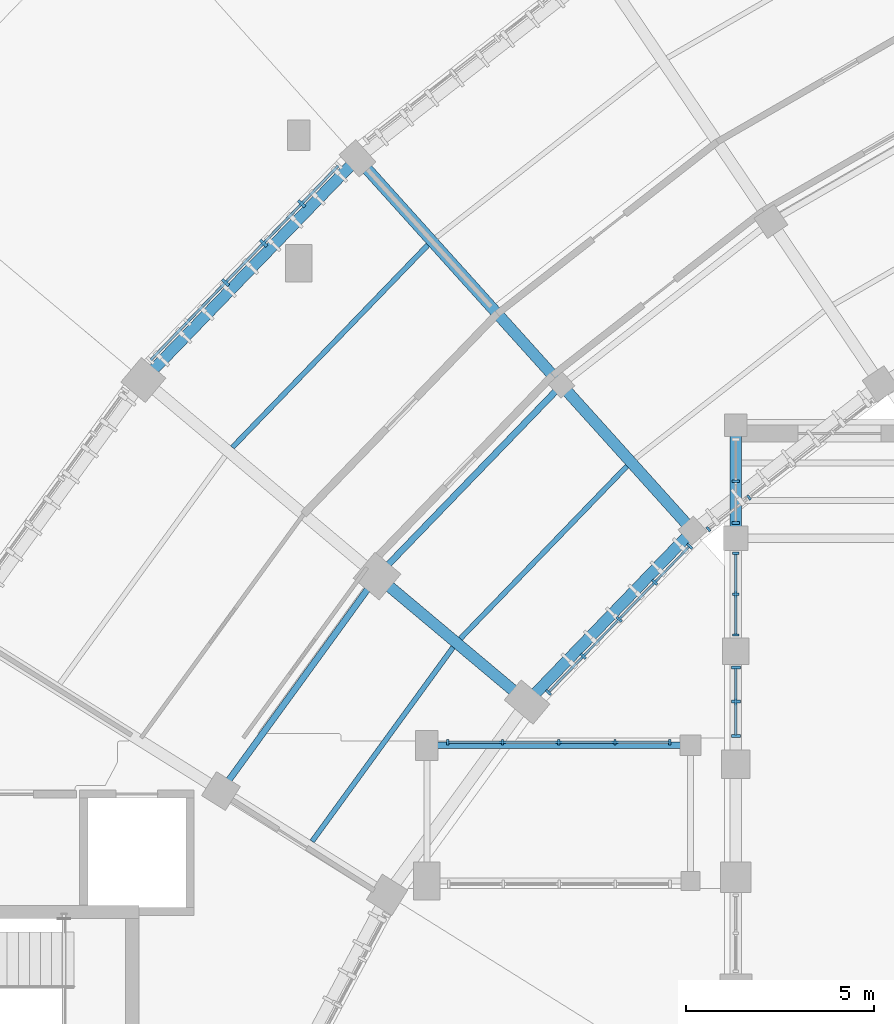
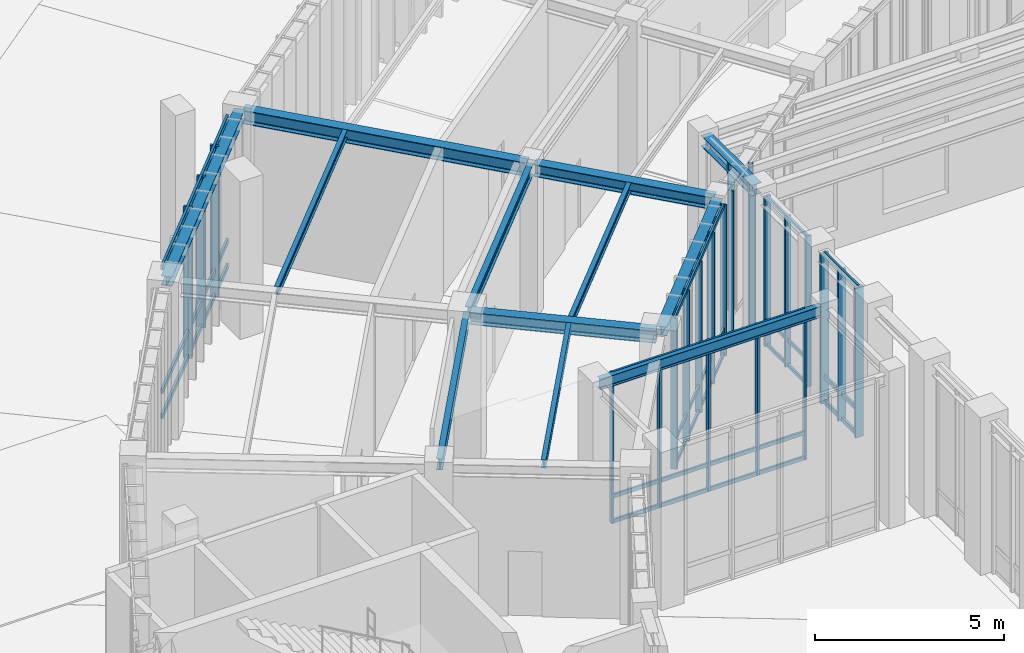
# One storey, part 9 of 68: 38 members, 12 beams, 7 elements without a shape of their own.
"""IFC4 building model written with IfcOpenShell, lengths in metres."""

import ifcopenshell
import ifcopenshell.guid

model = None  # the IFC model being written
_history = None  # IfcOwnerHistory: only IFC2X3 demands one
_inside = {}  # id of a spatial element -> (the spatial element, [elements in it])
_under = {}  # id of a project, library or spatial element -> (it, [spatial elements below it])
_declared = {}  # id of a project -> (the project, [libraries it declares])
_typed = {}  # id of a type object -> (the type object, [elements of that type])
_made_of = {}  # id of a material, layer set ... -> (it, [elements and type objects made of it])


def new_model(schema):
    """Start an empty IFC model of exactly this schema.

    Asked for "IFC4X3", IfcOpenShell would pick the latest addendum, in which some entities
    have other attributes; the version numbers below select the first issue.
    IFC2X3 requires an IfcOwnerHistory on every rooted entity: one is made here for all.
    """
    global model, _history
    if schema == "IFC4X3":
        model = ifcopenshell.file(schema_version=(4, 3, 0, 0))
    else:
        model = ifcopenshell.file(schema=schema)
    _inside.clear()
    _under.clear()
    _declared.clear()
    _typed.clear()
    _made_of.clear()
    _history = None
    if model.schema == "IFC2X3":
        org = make("IfcOrganization", Name="unknown")
        user = make(
            "IfcPersonAndOrganization",
            ThePerson=make("IfcPerson", FamilyName="unknown"),
            TheOrganization=org,
        )
        app = make(
            "IfcApplication",
            ApplicationDeveloper=org,
            Version="unknown",
            ApplicationFullName="unknown",
            ApplicationIdentifier="unknown",
        )
        _history = make(
            "IfcOwnerHistory",
            OwningUser=user,
            OwningApplication=app,
            ChangeAction="ADDED",
            CreationDate=0,
        )
    return model


def make(cls, **values):
    """One entity of the class cls with the attributes given. An attribute that is None is left unset."""
    return model.create_entity(
        cls, **{name: value for name, value in values.items() if value is not None}
    )


def rooted(cls, **values):
    """An entity with a GlobalId (a new one), such as an element, a storey or a relation."""
    return make(cls, GlobalId=ifcopenshell.guid.new(), OwnerHistory=_history, **values)


def si_unit(unit_type, name, prefix=None):
    """IfcSIUnit, for example si_unit("LENGTHUNIT", "METRE", prefix="MILLI")."""
    return make("IfcSIUnit", UnitType=unit_type, Prefix=prefix, Name=name)


def assignment(units):
    """IfcUnitAssignment: the units of a project."""
    return None if units is None else make("IfcUnitAssignment", Units=units)


def point(xyz):
    """IfcCartesianPoint."""
    return None if xyz is None else make("IfcCartesianPoint", Coordinates=xyz)


def direction(xyz):
    """IfcDirection."""
    return None if xyz is None else make("IfcDirection", DirectionRatios=xyz)


def frame(location, z_axis=None, x_axis=None):
    """IfcAxis2Placement3D, a coordinate frame: its origin and axes. An axis left out is left unset."""
    return make(
        "IfcAxis2Placement3D",
        Location=point(location),
        Axis=direction(z_axis),
        RefDirection=direction(x_axis),
    )


def frame_2d(location, x_axis=None):
    """IfcAxis2Placement2D, a coordinate frame in the plane: its origin and x axis."""
    return make(
        "IfcAxis2Placement2D", Location=point(location), RefDirection=direction(x_axis)
    )


def origin():
    """The frame at (0, 0, 0) with its axes left unset."""
    return frame((0.0, 0.0, 0.0))


def origin_2d():
    """The frame at (0, 0) in the plane with its x axis left unset."""
    return frame_2d((0.0, 0.0))


def place(relative_to, where):
    """IfcLocalPlacement: puts the frame where relative to a parent placement (None: the world)."""
    return make(
        "IfcLocalPlacement", PlacementRelTo=relative_to, RelativePlacement=where
    )


def context(
    kind, dimensions, precision=None, world=None, true_north=None, identifier=None
):
    """IfcGeometricRepresentationContext, for example the 3D "Model" context."""
    return make(
        "IfcGeometricRepresentationContext",
        ContextIdentifier=identifier,
        ContextType=kind,
        CoordinateSpaceDimension=dimensions,
        Precision=precision,
        WorldCoordinateSystem=world,
        TrueNorth=true_north,
    )


def subcontext(parent, identifier, kind, view, scale=None):
    """IfcGeometricRepresentationSubContext, for example "Body" below "Model"."""
    return make(
        "IfcGeometricRepresentationSubContext",
        ContextIdentifier=identifier,
        ContextType=kind,
        ParentContext=parent,
        TargetScale=scale,
        TargetView=view,
    )


def project(units=None, contexts=None):
    """IfcProject with its units and contexts."""
    return rooted(
        "IfcProject",
        Name="project",
        RepresentationContexts=contexts,
        UnitsInContext=assignment(units),
    )


def spatial(cls, under=None, at=None, **own):
    """A site, building, storey or space (cls), placed at a placement, below another one or the project."""
    s = rooted(cls, ObjectPlacement=at, **own)
    if under is not None:
        _under.setdefault(under.id(), (under, []))[1].append(s)
    return s


def profile(cls, at=None, kind="AREA", **sizes):
    """A parametric profile (cls). Its sizes go by their IFC names, for example OverallWidth=200.0."""
    return make(cls, ProfileType=kind, Position=at, **sizes)


def rectangle(**sizes):
    """IfcRectangleProfileDef."""
    return profile("IfcRectangleProfileDef", **sizes)


def i_section(**sizes):
    """IfcIShapeProfileDef."""
    return profile("IfcIShapeProfileDef", **sizes)


def extrude(swept, where, along, depth):
    """IfcExtrudedAreaSolid: the profile swept, set in the frame where, extruded along a direction by depth."""
    return make(
        "IfcExtrudedAreaSolid",
        SweptArea=swept,
        Position=where,
        ExtrudedDirection=direction(along),
        Depth=depth,
    )


def shape(context_of_items, identifier, shape_type, items):
    """IfcShapeRepresentation: the items that make up one representation, for example the "Body"."""
    return make(
        "IfcShapeRepresentation",
        ContextOfItems=context_of_items,
        RepresentationIdentifier=identifier,
        RepresentationType=shape_type,
        Items=items,
    )


def material(Name=None, Category=None):
    """IfcMaterial."""
    return make("IfcMaterial", Name=Name, Category=Category)


def layer(
    of_material, thickness, ventilated=None, Name=None, Category=None, Priority=None
):
    """IfcMaterialLayer: one layer of a wall or slab, of a material (None: an air gap)."""
    return make(
        "IfcMaterialLayer",
        Material=of_material,
        LayerThickness=thickness,
        IsVentilated=ventilated,
        Name=Name,
        Category=Category,
        Priority=Priority,
    )


def layer_set(layers, Name=None):
    """IfcMaterialLayerSet."""
    return make("IfcMaterialLayerSet", MaterialLayers=layers, LayerSetName=Name)


def material_profile(
    of_material, cross_section, Name=None, Category=None, Priority=None
):
    """IfcMaterialProfile: a cross section and its material."""
    return make(
        "IfcMaterialProfile",
        Name=Name,
        Material=of_material,
        Profile=cross_section,
        Priority=Priority,
        Category=Category,
    )


def profile_set(profiles, Name=None, composite=None):
    """IfcMaterialProfileSet."""
    return make(
        "IfcMaterialProfileSet",
        Name=Name,
        MaterialProfiles=profiles,
        CompositeProfile=composite,
    )


def made_of(thing, what):
    """Note that an element or type object is made of a material, layer set ...; save() writes the relation."""
    if what is not None:
        _made_of.setdefault(what.id(), (what, []))[1].append(thing)
    return thing


def type_object(cls, material=None, **own):
    """A type object (cls), such as IfcWallType, which elements share."""
    return made_of(rooted(cls, **own), material)


def element(
    cls,
    number,
    at=None,
    inside=None,
    cuts=None,
    type_object=None,
    material=None,
    context=None,
    identifier="Body",
    shape_type=None,
    held_by="IfcProductDefinitionShape",
    body=None,
    shapes=None,
    **own,
):
    """One element of the class cls, such as IfcWall. Its Tag is "e" and its number.

    at: its placement. inside: the storey or other place that contains it. cuts: it is an
    opening in that element (IfcRelVoidsElement). A single representation is given by context,
    identifier, shape_type and body (its items); several are given by shapes. held_by: the class
    of the entity that holds the representations. save() writes the other relations.
    """
    e = rooted(cls, Tag="e%d" % number, ObjectPlacement=at, **own)
    if body is not None:
        shapes = [shape(context, identifier, shape_type, body)]
    if shapes is not None:
        e.Representation = make(held_by, Representations=shapes)
    if inside is not None:
        _inside.setdefault(inside.id(), (inside, []))[1].append(e)
    if cuts is not None:
        rooted(
            "IfcRelVoidsElement", RelatingBuildingElement=cuts, RelatedOpeningElement=e
        )
    if type_object is not None:
        _typed.setdefault(type_object.id(), (type_object, []))[1].append(e)
    return made_of(e, material)


def aggregate(whole, parts):
    """IfcRelAggregates: a whole, such as a stair, and the parts it consists of."""
    return rooted("IfcRelAggregates", RelatingObject=whole, RelatedObjects=parts)


def save(model, path):
    """Write the relations noted so far, then the file.

    IfcRelAggregates (storeys below a building ...), IfcRelContainedInSpatialStructure (elements
    in a storey), IfcRelDefinesByType, IfcRelAssociatesMaterial and IfcRelDeclares: one each for
    every whole, place, type object, material and project.
    """
    for whole, parts in _under.values():
        aggregate(whole, parts)
    for where, things in _inside.values():
        rooted(
            "IfcRelContainedInSpatialStructure",
            RelatedElements=things,
            RelatingStructure=where,
        )
    for kind, things in _typed.values():
        rooted("IfcRelDefinesByType", RelatedObjects=things, RelatingType=kind)
    for what, things in _made_of.values():
        rooted("IfcRelAssociatesMaterial", RelatedObjects=things, RelatingMaterial=what)
    for by, libraries in _declared.values():
        rooted("IfcRelDeclares", RelatingContext=by, RelatedDefinitions=libraries)
    model.write(path)


model = new_model("IFC4")

# Units and contexts
model_context = context("Model", 3, precision=1e-05, world=origin(), true_north=direction((0.0, 1.0)))
body_context = subcontext(model_context, "Body", "Model", "MODEL_VIEW")
ifc_project = project(units=[si_unit("LENGTHUNIT", "METRE"), si_unit("AREAUNIT", "SQUARE_METRE"), si_unit("VOLUMEUNIT", "CUBIC_METRE"), si_unit("PLANEANGLEUNIT", "RADIAN"), si_unit("MASSUNIT", "GRAM", prefix="KILO"), si_unit("THERMODYNAMICTEMPERATUREUNIT", "KELVIN"), si_unit("POWERUNIT", "WATT")], contexts=[model_context])

# Site, building, storey
site_placement = place(None, origin())
site = spatial("IfcSite", under=ifc_project, at=site_placement, CompositionType="ELEMENT")
building_placement = place(site_placement, origin())
building = spatial("IfcBuilding", under=site, at=building_placement, Name="Solvatero Civic Police Headquarters", CompositionType="ELEMENT")
storey_placement = place(building_placement, origin())
storey = spatial("IfcBuildingStorey", under=building, at=storey_placement, Name="L00", CompositionType="ELEMENT", Elevation=0.0)

# Beams
ifc_material_1 = material(Name="Steel S355", Category="steel")
ifc_material_profile_1 = material_profile(ifc_material_1, i_section(OverallWidth=0.300048828125, OverallDepth=0.2900390625, WebThickness=0.008544921875, FlangeThickness=0.013916015625, FilletRadius=0.027099609375, at=origin_2d()), Name="HEA 300")
ifc_profile_set_1 = profile_set([ifc_material_profile_1], Name="Steel S355")
beam_type_1 = type_object("IfcBeamType", Name="BM-ST-HEA300", PredefinedType="SPANDREL", material=ifc_profile_set_1)
beam_1_placement = place(storey_placement, frame((63.58544921875, 59.629638671875, 4.735107421875), z_axis=(-0.694666334327, -0.719332109635, 0.0), x_axis=(0.719332109635, -0.694666334327, 0.0)))
element("IfcBeam", 1, at=beam_1_placement, inside=storey, type_object=beam_type_1, Name="Perimeter / radial spandrel beam BM-R2-L00-ARC-CIN-B07", PredefinedType="SPANDREL", context=body_context, shape_type="SweptSolid", body=[
    extrude(i_section(OverallWidth=0.300048828125, OverallDepth=0.2900390625, WebThickness=0.008544921875, FlangeThickness=0.013916015625, FilletRadius=0.027099609375, at=origin_2d()), origin(), (0.0, 0.0, 1.0), 6.126953125),
])
ifc_material_profile_2 = material_profile(ifc_material_1, i_section(OverallWidth=0.300048828125, OverallDepth=0.31005859375, WebThickness=0.009033203125, FlangeThickness=0.015380859375, FilletRadius=0.027099609375, at=origin_2d()), Name="HEA 320")
ifc_profile_set_2 = profile_set([ifc_material_profile_2], Name="Steel S355")
beam_type_2 = type_object("IfcBeamType", Name="BM-ST-HEA320", PredefinedType="SPANDREL", material=ifc_profile_set_2)
beam_2_placement = place(storey_placement, frame((54.68603515625, 69.513427734375, 4.72509765625), z_axis=(-0.694657827695, -0.719340324479, 0.0), x_axis=(0.719340324479, -0.694657827695, 0.0)))
element("IfcBeam", 2, at=beam_2_placement, inside=storey, type_object=beam_type_2, Name="Perimeter / radial spandrel beam BM-R2-L00-ARC-COUT-B07", PredefinedType="SPANDREL", context=body_context, shape_type="SweptSolid", body=[
    extrude(i_section(OverallWidth=0.300048828125, OverallDepth=0.31005859375, WebThickness=0.009033203125, FlangeThickness=0.015380859375, FilletRadius=0.027099609375, at=origin_2d()), origin(), (0.0, 0.0, 1.0), 7.982177734375),
])
ifc_material_profile_3 = material_profile(ifc_material_1, i_section(OverallWidth=0.300048828125, OverallDepth=0.35009765625, WebThickness=0.010009765625, FlangeThickness=0.017578125, FilletRadius=0.027099609375, at=origin_2d()), Name="HEA 360")
ifc_profile_set_3 = profile_set([ifc_material_profile_3], Name="Steel S355")
beam_type_3 = type_object("IfcBeamType", Name="BM-ST-HEA360", PredefinedType="SPANDREL", material=ifc_profile_set_3)
beam_3_placement = place(storey_placement, frame((64.800048828125, 59.659912109375, 4.705078125), z_axis=(0.0, 1.0, 0.0), x_axis=(-1.0, 0.0, 0.0)))
element("IfcBeam", 3, at=beam_3_placement, inside=storey, type_object=beam_type_3, Name="Perimeter / radial spandrel beam BM-R2-L00-V2-GY-1-3", PredefinedType="SPANDREL", context=body_context, shape_type="SweptSolid", body=[
    extrude(i_section(OverallWidth=0.300048828125, OverallDepth=0.35009765625, WebThickness=0.010009765625, FlangeThickness=0.017578125, FilletRadius=0.027099609375, at=origin_2d()), origin(), (0.0, 0.0, 1.0), 2.68017578125),
])
ifc_material_profile_4 = material_profile(ifc_material_1, i_section(OverallWidth=0.300048828125, OverallDepth=0.389892578125, WebThickness=0.010986328125, FlangeThickness=0.01904296875, FilletRadius=0.027099609375, at=origin_2d()), Name="HEA 400")
ifc_profile_set_4 = profile_set([ifc_material_profile_4], Name="Steel S355")
beam_type_4 = type_object("IfcBeamType", Name="BM-ST-HEA400", PredefinedType="BEAM", material=ifc_profile_set_4)
beam_4_placement = place(storey_placement, frame((63.587890625, 59.77587890625, 4.68505859375), z_axis=(-0.669126573551, 0.743148456614, 0.0), x_axis=(-0.743148456614, -0.669126573551, 0.0)))
element("IfcBeam", 4, at=beam_4_placement, inside=storey, type_object=beam_type_4, Name="Primary girder BM-R2-L00-ARC-RAD1-S06", PredefinedType="BEAM", context=body_context, shape_type="SweptSolid", body=[
    extrude(i_section(OverallWidth=0.300048828125, OverallDepth=0.389892578125, WebThickness=0.010986328125, FlangeThickness=0.01904296875, FilletRadius=0.027099609375, at=origin_2d()), origin(), (0.0, 0.0, 1.0), 5.0),
])
beam_5_placement = place(storey_placement, frame((59.183349609375, 55.214599609375, 4.68505859375), z_axis=(-0.766035646312, 0.642798093167, 0.0), x_axis=(-0.642798093167, -0.766035646312, 0.0)))
element("IfcBeam", 5, at=beam_5_placement, inside=storey, type_object=beam_type_4, Name="Primary girder BM-R2-L00-ARC-RAD1-S07", PredefinedType="BEAM", context=body_context, shape_type="SweptSolid", body=[
    extrude(i_section(OverallWidth=0.300048828125, OverallDepth=0.389892578125, WebThickness=0.010986328125, FlangeThickness=0.01904296875, FilletRadius=0.027099609375, at=origin_2d()), origin(), (0.0, 0.0, 1.0), 5.000244140625),
])
ifc_material_profile_5 = material_profile(ifc_material_1, i_section(OverallWidth=0.300048828125, OverallDepth=0.43994140625, WebThickness=0.011474609375, FlangeThickness=0.02099609375, FilletRadius=0.027099609375, at=origin_2d()), Name="HEA 450")
ifc_profile_set_5 = profile_set([ifc_material_profile_5], Name="Steel S355")
beam_type_5 = type_object("IfcBeamType", Name="BM-ST-HEA450", PredefinedType="BEAM", material=ifc_profile_set_5)
beam_6_placement = place(storey_placement, frame((60.1083984375, 63.640380859375, 4.659912109375), z_axis=(-0.669128632475, 0.743146602766, 0.0), x_axis=(-0.743146602766, -0.669128632475, 0.0)))
element("IfcBeam", 6, at=beam_6_placement, inside=storey, type_object=beam_type_5, Name="Primary girder BM-R2-L00-ARC-RAD2-S06", PredefinedType="BEAM", context=body_context, shape_type="SweptSolid", body=[
    extrude(i_section(OverallWidth=0.300048828125, OverallDepth=0.43994140625, WebThickness=0.011474609375, FlangeThickness=0.02099609375, FilletRadius=0.027099609375, at=origin_2d()), origin(), (0.0, 0.0, 1.0), 7.899658203125),
])
ifc_material_profile_6 = material_profile(ifc_material_1, i_section(OverallWidth=0.135009765625, OverallDepth=0.27001953125, WebThickness=0.006591796875, FlangeThickness=0.01025390625, FilletRadius=0.014892578125, at=origin_2d()), Name="IPE 270")
ifc_profile_set_6 = profile_set([ifc_material_profile_6], Name="Steel S355")
beam_type_6 = type_object("IfcBeamType", Name="BM-ST-IPE270", PredefinedType="BEAM", material=ifc_profile_set_6)
beam_7_placement = place(storey_placement, frame((61.911376953125, 61.414306640625, 4.7451171875), z_axis=(-0.694655397836, -0.719342670956, 0.0), x_axis=(0.719342670956, -0.694655397836, 0.0)))
element("IfcBeam", 7, at=beam_7_placement, inside=storey, type_object=beam_type_6, Name="Composite floor beam BM-R2-L00-ARC-CS1-B07", PredefinedType="BEAM", context=body_context, shape_type="SweptSolid", body=[
    extrude(i_section(OverallWidth=0.135009765625, OverallDepth=0.27001953125, WebThickness=0.006591796875, FlangeThickness=0.01025390625, FilletRadius=0.014892578125, at=origin_2d()), origin(), (0.0, 0.0, 1.0), 6.36865234375),
])
beam_8_placement = place(storey_placement, frame((56.625244140625, 67.285400390625, 4.7451171875), z_axis=(-0.69464641537, -0.719351345042, 0.0), x_axis=(0.719351345042, -0.69464641537, 0.0)))
element("IfcBeam", 8, at=beam_8_placement, inside=storey, type_object=beam_type_6, Name="Composite floor beam BM-R2-L00-ARC-CS2-B07", PredefinedType="BEAM", context=body_context, shape_type="SweptSolid", body=[
    extrude(i_section(OverallWidth=0.135009765625, OverallDepth=0.27001953125, WebThickness=0.006591796875, FlangeThickness=0.01025390625, FilletRadius=0.014892578125, at=origin_2d()), origin(), (0.0, 0.0, 1.0), 7.470947265625),
])
beam_9_placement = place(storey_placement, frame((57.294921875, 56.603759765625, 4.7451171875), z_axis=(-0.587786418719, -0.809016146915, 0.0), x_axis=(0.809016146915, -0.587786418719, 0.0)))
element("IfcBeam", 9, at=beam_9_placement, inside=storey, type_object=beam_type_6, Name="Composite floor beam BM-R2-L00-ARC-CS1-B08", PredefinedType="BEAM", context=body_context, shape_type="SweptSolid", body=[
    extrude(i_section(OverallWidth=0.135009765625, OverallDepth=0.27001953125, WebThickness=0.006591796875, FlangeThickness=0.01025390625, FilletRadius=0.014892578125, at=origin_2d()), origin(), (0.0, 0.0, 1.0), 6.36865234375),
])
ifc_material_profile_7 = material_profile(ifc_material_1, i_section(OverallWidth=0.169921875, OverallDepth=0.360107421875, WebThickness=0.008056640625, FlangeThickness=0.0126953125, FilletRadius=0.01806640625, at=origin_2d()), Name="IPE 360")
ifc_profile_set_7 = profile_set([ifc_material_profile_7], Name="Steel S355")
beam_type_7 = type_object("IfcBeamType", Name="BM-ST-IPE360", PredefinedType="BEAM", material=ifc_profile_set_7)
beam_10_placement = place(storey_placement, frame((56.719970703125, 54.0, 4.699951171875), z_axis=(1.0, 0.0, 0.0), x_axis=(0.0, 1.0, 0.0)))
element("IfcBeam", 10, at=beam_10_placement, inside=storey, type_object=beam_type_7, Name="Composite floor beam BM-R2-L00-V2LK-N", PredefinedType="BEAM", context=body_context, shape_type="SweptSolid", body=[
    extrude(i_section(OverallWidth=0.169921875, OverallDepth=0.360107421875, WebThickness=0.008056640625, FlangeThickness=0.0126953125, FilletRadius=0.01806640625, at=origin_2d()), origin(), (0.0, 0.0, 1.0), 6.760009765625),
])
for number, where, z_axis, x_axis, name in (
    (11, (60.10595703125, 63.494140625, 4.699951171875), (-0.694635840839, -0.719361556258, 0.0), (0.719361556258, -0.694635840839, 0.0), "Composite floor beam BM-R2-L00-ARC-CMID-B07"),
    (12, (55.2177734375, 58.412109375, 4.699951171875), (-0.587794552249, -0.809010237479, 0.0), (0.809010237479, -0.587794552249, 0.0), "Composite floor beam BM-R2-L00-ARC-CMID-B08"),
):
    element("IfcBeam", number, at=place(storey_placement, frame(where, z_axis=z_axis, x_axis=x_axis)), inside=storey, type_object=beam_type_7, Name=name, PredefinedType="BEAM", context=body_context, shape_type="SweptSolid", body=[
        extrude(i_section(OverallWidth=0.169921875, OverallDepth=0.360107421875, WebThickness=0.008056640625, FlangeThickness=0.0126953125, FilletRadius=0.01806640625, at=origin_2d()), origin(), (0.0, 0.0, 1.0), 6.8525390625),
    ])

# Curtain wall, members
ifc_material_2 = material(Name="Anodized Bronze Aluminium", Category="aluminium")
ifc_layer_1 = layer(ifc_material_2, 0.179931640625)
ifc_layer_set_1 = layer_set([ifc_layer_1], Name="Anodized Bronze Aluminium")
curtain_wall_type_1 = type_object("IfcCurtainWallType", Name="CW-ARC-OUT", PredefinedType="USERDEFINED", material=ifc_layer_set_1)
curtain_wall_1_placement = place(storey_placement, origin())
curtain_wall_1 = element("IfcCurtainWall", 13, at=curtain_wall_1_placement, inside=storey, type_object=curtain_wall_type_1, Name="Curtain Wall CW-R2-L00-ARC-OUT-B07", ObjectType="UNITISED", PredefinedType="USERDEFINED")
ifc_material_profile_8 = material_profile(ifc_material_2, rectangle(XDim=0.080078125, YDim=0.239990234375, at=origin_2d()), Name="ALU MULLION 80x240")
ifc_profile_set_8 = profile_set([ifc_material_profile_8], Name="Anodized Bronze Aluminium")
member_type_1 = type_object("IfcMemberType", Name="CWM-140x60", PredefinedType="MULLION", material=ifc_profile_set_8)
member_1_placement = place(storey_placement, frame((53.273681640625, 68.38134765625, 0.0), z_axis=(0.0, 0.0, 1.0), x_axis=(-0.694658370459, -0.719339800339, 0.0)))
member_1 = element("IfcMember", 14, at=member_1_placement, type_object=member_type_1, Name="CW-R2-L00-ARC-OUT-B07 Mullion 2", PredefinedType="MULLION", context=body_context, shape_type="SweptSolid", body=[
    extrude(rectangle(XDim=0.080078125, YDim=0.239990234375, at=origin_2d()), origin(), (0.0, 0.0, 1.0), 4.8798828125),
])
member_2_placement = place(storey_placement, frame((52.2626953125, 67.334228515625, 0.0), z_axis=(0.0, 0.0, 1.0), x_axis=(-0.694658370459, -0.719339800339, 0.0)))
member_2 = element("IfcMember", 15, at=member_2_placement, type_object=member_type_1, Name="CW-R2-L00-ARC-OUT-B07 Mullion 3", PredefinedType="MULLION", context=body_context, shape_type="SweptSolid", body=[
    extrude(rectangle(XDim=0.080078125, YDim=0.239990234375, at=origin_2d()), origin(), (0.0, 0.0, 1.0), 4.8798828125),
])
member_3_placement = place(storey_placement, frame((51.251708984375, 66.287353515625, 0.0), z_axis=(0.0, 0.0, 1.0), x_axis=(-0.694658370459, -0.719339800339, 0.0)))
member_3 = element("IfcMember", 16, at=member_3_placement, type_object=member_type_1, Name="CW-R2-L00-ARC-OUT-B07 Mullion 4", PredefinedType="MULLION", context=body_context, shape_type="SweptSolid", body=[
    extrude(rectangle(XDim=0.080078125, YDim=0.239990234375, at=origin_2d()), origin(), (0.0, 0.0, 1.0), 4.8798828125),
])

ifc_layer_2 = layer(ifc_material_2, 0.179931640625)
ifc_layer_set_2 = layer_set([ifc_layer_2], Name="Anodized Bronze Aluminium")
curtain_wall_type_2 = type_object("IfcCurtainWallType", Name="CW-HAL-GLZ", PredefinedType="USERDEFINED", material=ifc_layer_set_2)
curtain_wall_2_placement = place(storey_placement, origin())
curtain_wall_2 = element("IfcCurtainWall", 17, at=curtain_wall_2_placement, inside=storey, type_object=curtain_wall_type_2, Name="Curtain Wall CW-R2-L00-V2-W-B5", ObjectType="UNITISED", PredefinedType="USERDEFINED")
member_4_placement = place(storey_placement, frame((64.800048828125, 54.25, 0.0), z_axis=(0.0, 0.0, 1.0), x_axis=(0.0, 1.0, 0.0)))
member_4 = element("IfcMember", 18, at=member_4_placement, type_object=member_type_1, Name="CW-R2-L00-V2-W-B5 Mullion 1", PredefinedType="MULLION", context=body_context, shape_type="SweptSolid", body=[
    extrude(rectangle(XDim=0.080078125, YDim=0.239990234375, at=origin_2d()), origin(), (0.0, 0.0, 1.0), 4.860107421875),
])
member_5_placement = place(storey_placement, frame((64.800048828125, 55.159912109375, 0.0), z_axis=(0.0, 0.0, 1.0), x_axis=(0.0, 1.0, 0.0)))
member_5 = element("IfcMember", 19, at=member_5_placement, type_object=member_type_1, Name="CW-R2-L00-V2-W-B5 Mullion 2", PredefinedType="MULLION", context=body_context, shape_type="SweptSolid", body=[
    extrude(rectangle(XDim=0.080078125, YDim=0.239990234375, at=origin_2d()), origin(), (0.0, 0.0, 1.0), 4.860107421875),
])
member_6_placement = place(storey_placement, frame((64.800048828125, 56.070068359375, 0.0), z_axis=(0.0, 0.0, 1.0), x_axis=(0.0, 1.0, 0.0)))
member_6 = element("IfcMember", 20, at=member_6_placement, type_object=member_type_1, Name="CW-R2-L00-V2-W-B5 Mullion 3", PredefinedType="MULLION", context=body_context, shape_type="SweptSolid", body=[
    extrude(rectangle(XDim=0.080078125, YDim=0.239990234375, at=origin_2d()), origin(), (0.0, 0.0, 1.0), 4.860107421875),
])

ifc_layer_3 = layer(ifc_material_2, 0.179931640625)
ifc_layer_set_3 = layer_set([ifc_layer_3], Name="Anodized Bronze Aluminium")
curtain_wall_type_3 = type_object("IfcCurtainWallType", Name="CW-ARC-IN", PredefinedType="USERDEFINED", material=ifc_layer_set_3)
curtain_wall_3_placement = place(storey_placement, origin())
curtain_wall_3 = element("IfcCurtainWall", 21, at=curtain_wall_3_placement, inside=storey, type_object=curtain_wall_type_3, Name="Curtain Wall CW-R2-L00-ARC-IN-B06", ObjectType="UNITISED", PredefinedType="USERDEFINED")
ifc_material_profile_9 = material_profile(ifc_material_2, rectangle(XDim=0.06005859375, YDim=0.139892578125, at=origin_2d()), Name="ALU MULLION 60x140")
ifc_profile_set_9 = profile_set([ifc_material_profile_9], Name="Anodized Bronze Aluminium")
member_type_2 = type_object("IfcMemberType", Name="CWM-160x65", PredefinedType="MULLION", material=ifc_profile_set_9)
member_7_placement = place(storey_placement, frame((65.15185546875, 60.580078125, 0.0), z_axis=(0.0, 0.0, 1.0), x_axis=(-0.788010753607, -0.615661475326, 0.0)))
member_7 = element("IfcMember", 22, at=member_7_placement, type_object=member_type_2, Name="CW-R2-L00-ARC-IN-B06 Mullion 4", PredefinedType="MULLION", context=body_context, shape_type="SweptSolid", body=[
    extrude(rectangle(XDim=0.06005859375, YDim=0.139892578125, at=origin_2d()), origin(), (0.0, 0.0, 1.0), 4.8798828125),
])
member_8_placement = place(storey_placement, frame((64.07568359375, 59.7392578125, 0.0), z_axis=(0.0, 0.0, 1.0), x_axis=(-0.788010753607, -0.615661475326, 0.0)))
member_8 = element("IfcMember", 23, at=member_8_placement, type_object=member_type_2, Name="CW-R2-L00-ARC-IN-B06 Mullion 5", PredefinedType="MULLION", context=body_context, shape_type="SweptSolid", body=[
    extrude(rectangle(XDim=0.06005859375, YDim=0.139892578125, at=origin_2d()), origin(), (0.0, 0.0, 1.0), 4.8798828125),
])
aggregate(curtain_wall_3, [member_7, member_8])

ifc_layer_4 = layer(ifc_material_2, 0.179931640625)
ifc_layer_set_4 = layer_set([ifc_layer_4], Name="Anodized Bronze Aluminium")
curtain_wall_type_4 = type_object("IfcCurtainWallType", Name="CW-SB-GLZ", PredefinedType="USERDEFINED", material=ifc_layer_set_4)
curtain_wall_4_placement = place(storey_placement, origin())
curtain_wall_4 = element("IfcCurtainWall", 24, at=curtain_wall_4_placement, inside=storey, type_object=curtain_wall_type_4, Name="Curtain Wall CW-R2-L00-V2LK-N", ObjectType="UNITISED", PredefinedType="USERDEFINED")
member_9_placement = place(storey_placement, frame((57.14990234375, 54.080078125, 0.0), z_axis=(0.0, 0.0, 1.0), x_axis=(1.0, 0.0, 0.0)))
member_9 = element("IfcMember", 25, at=member_9_placement, type_object=member_type_2, Name="CW-R2-L00-V2LK-N Mullion 1", PredefinedType="MULLION", context=body_context, shape_type="SweptSolid", body=[
    extrude(rectangle(XDim=0.06005859375, YDim=0.139892578125, at=origin_2d()), origin(), (0.0, 0.0, 1.0), 4.860107421875),
])
member_10_placement = place(storey_placement, frame((58.60498046875, 54.080078125, 0.0), z_axis=(0.0, 0.0, 1.0), x_axis=(1.0, 0.0, 0.0)))
member_10 = element("IfcMember", 26, at=member_10_placement, type_object=member_type_2, Name="CW-R2-L00-V2LK-N Mullion 2", PredefinedType="MULLION", context=body_context, shape_type="SweptSolid", body=[
    extrude(rectangle(XDim=0.06005859375, YDim=0.139892578125, at=origin_2d()), origin(), (0.0, 0.0, 1.0), 4.860107421875),
])
member_11_placement = place(storey_placement, frame((60.10009765625, 54.080078125, 0.0), z_axis=(0.0, 0.0, 1.0), x_axis=(1.0, 0.0, 0.0)))
member_11 = element("IfcMember", 27, at=member_11_placement, type_object=member_type_2, Name="CW-R2-L00-V2LK-N Mullion 3", PredefinedType="MULLION", context=body_context, shape_type="SweptSolid", body=[
    extrude(rectangle(XDim=0.06005859375, YDim=0.139892578125, at=origin_2d()), origin(), (0.0, 0.0, 1.0), 4.860107421875),
])
member_12_placement = place(storey_placement, frame((61.594970703125, 54.080078125, 0.0), z_axis=(0.0, 0.0, 1.0), x_axis=(1.0, 0.0, 0.0)))
member_12 = element("IfcMember", 28, at=member_12_placement, type_object=member_type_2, Name="CW-R2-L00-V2LK-N Mullion 4", PredefinedType="MULLION", context=body_context, shape_type="SweptSolid", body=[
    extrude(rectangle(XDim=0.06005859375, YDim=0.139892578125, at=origin_2d()), origin(), (0.0, 0.0, 1.0), 4.860107421875),
])
member_13_placement = place(storey_placement, frame((63.050048828125, 54.080078125, 0.0), z_axis=(0.0, 0.0, 1.0), x_axis=(1.0, 0.0, 0.0)))
member_13 = element("IfcMember", 29, at=member_13_placement, type_object=member_type_2, Name="CW-R2-L00-V2LK-N Mullion 5", PredefinedType="MULLION", context=body_context, shape_type="SweptSolid", body=[
    extrude(rectangle(XDim=0.06005859375, YDim=0.139892578125, at=origin_2d()), origin(), (0.0, 0.0, 1.0), 4.860107421875),
])

curtain_wall_5_placement = place(storey_placement, origin())
curtain_wall_5 = element("IfcCurtainWall", 30, at=curtain_wall_5_placement, inside=storey, type_object=curtain_wall_type_3, Name="Curtain Wall CW-R2-L00-ARC-IN-B07", ObjectType="UNITISED", PredefinedType="USERDEFINED")
ifc_material_profile_10 = material_profile(ifc_material_2, rectangle(XDim=0.06494140625, YDim=0.179931640625, at=origin_2d()), Name="ALU MULLION 65x180")
ifc_profile_set_10 = profile_set([ifc_material_profile_10], Name="Anodized Bronze Aluminium")
member_type_3 = type_object("IfcMemberType", Name="CWM-200x75", PredefinedType="MULLION", material=ifc_profile_set_10)
member_14_placement = place(storey_placement, frame((63.5732421875, 59.286865234375, 0.0), z_axis=(0.0, 0.0, 1.0), x_axis=(-0.694658370459, -0.719339800339, 0.0)))
member_14 = element("IfcMember", 31, at=member_14_placement, type_object=member_type_3, Name="CW-R2-L00-ARC-IN-B07 Mullion 1", PredefinedType="MULLION", context=body_context, shape_type="SweptSolid", body=[
    extrude(rectangle(XDim=0.06494140625, YDim=0.179931640625, at=origin_2d()), origin(), (0.0, 0.0, 1.0), 4.8798828125),
])
member_15_placement = place(storey_placement, frame((62.65087890625, 58.33154296875, 0.0), z_axis=(0.0, 0.0, 1.0), x_axis=(-0.694658370459, -0.719339800339, 0.0)))
member_15 = element("IfcMember", 32, at=member_15_placement, type_object=member_type_3, Name="CW-R2-L00-ARC-IN-B07 Mullion 2", PredefinedType="MULLION", context=body_context, shape_type="SweptSolid", body=[
    extrude(rectangle(XDim=0.06494140625, YDim=0.179931640625, at=origin_2d()), origin(), (0.0, 0.0, 1.0), 4.8798828125),
])
member_16_placement = place(storey_placement, frame((61.70068359375, 57.347412109375, 0.0), z_axis=(0.0, 0.0, 1.0), x_axis=(-0.694658370459, -0.719339800339, 0.0)))
member_16 = element("IfcMember", 33, at=member_16_placement, type_object=member_type_3, Name="CW-R2-L00-ARC-IN-B07 Mullion 3", PredefinedType="MULLION", context=body_context, shape_type="SweptSolid", body=[
    extrude(rectangle(XDim=0.06494140625, YDim=0.179931640625, at=origin_2d()), origin(), (0.0, 0.0, 1.0), 4.8798828125),
])
member_17_placement = place(storey_placement, frame((60.750244140625, 56.363525390625, 0.0), z_axis=(0.0, 0.0, 1.0), x_axis=(-0.694658370459, -0.719339800339, 0.0)))
member_17 = element("IfcMember", 34, at=member_17_placement, type_object=member_type_3, Name="CW-R2-L00-ARC-IN-B07 Mullion 4", PredefinedType="MULLION", context=body_context, shape_type="SweptSolid", body=[
    extrude(rectangle(XDim=0.06494140625, YDim=0.179931640625, at=origin_2d()), origin(), (0.0, 0.0, 1.0), 4.8798828125),
])
member_18_placement = place(storey_placement, frame((59.827880859375, 55.408203125, 0.0), z_axis=(0.0, 0.0, 1.0), x_axis=(-0.694658370459, -0.719339800339, 0.0)))
member_18 = element("IfcMember", 35, at=member_18_placement, type_object=member_type_3, Name="CW-R2-L00-ARC-IN-B07 Mullion 5", PredefinedType="MULLION", context=body_context, shape_type="SweptSolid", body=[
    extrude(rectangle(XDim=0.06494140625, YDim=0.179931640625, at=origin_2d()), origin(), (0.0, 0.0, 1.0), 4.8798828125),
])

curtain_wall_6_placement = place(storey_placement, origin())
curtain_wall_6 = element("IfcCurtainWall", 36, at=curtain_wall_6_placement, inside=storey, type_object=curtain_wall_type_2, Name="Curtain Wall CW-R2-L00-V2-W-B6", ObjectType="UNITISED", PredefinedType="USERDEFINED")
member_19_placement = place(storey_placement, frame((64.800048828125, 56.929931640625, 0.0), z_axis=(0.0, 0.0, 1.0), x_axis=(0.0, 1.0, 0.0)))
member_19 = element("IfcMember", 37, at=member_19_placement, type_object=member_type_3, Name="CW-R2-L00-V2-W-B6 Mullion 1", PredefinedType="MULLION", context=body_context, shape_type="SweptSolid", body=[
    extrude(rectangle(XDim=0.06494140625, YDim=0.179931640625, at=origin_2d()), origin(), (0.0, 0.0, 1.0), 4.860107421875),
])
member_20_placement = place(storey_placement, frame((64.800048828125, 58.012451171875, 0.0), z_axis=(0.0, 0.0, 1.0), x_axis=(0.0, 1.0, 0.0)))
member_20 = element("IfcMember", 38, at=member_20_placement, type_object=member_type_3, Name="CW-R2-L00-V2-W-B6 Mullion 2", PredefinedType="MULLION", context=body_context, shape_type="SweptSolid", body=[
    extrude(rectangle(XDim=0.06494140625, YDim=0.179931640625, at=origin_2d()), origin(), (0.0, 0.0, 1.0), 4.860107421875),
])
member_21_placement = place(storey_placement, frame((64.800048828125, 59.094970703125, 0.0), z_axis=(0.0, 0.0, 1.0), x_axis=(0.0, 1.0, 0.0)))
member_21 = element("IfcMember", 39, at=member_21_placement, type_object=member_type_3, Name="CW-R2-L00-V2-W-B6 Mullion 3", PredefinedType="MULLION", context=body_context, shape_type="SweptSolid", body=[
    extrude(rectangle(XDim=0.06494140625, YDim=0.179931640625, at=origin_2d()), origin(), (0.0, 0.0, 1.0), 4.860107421875),
])

curtain_wall_7_placement = place(storey_placement, origin())
curtain_wall_7 = element("IfcCurtainWall", 40, at=curtain_wall_7_placement, inside=storey, type_object=curtain_wall_type_2, Name="Curtain Wall CW-R2-L00-V2-W-B7", ObjectType="UNITISED", PredefinedType="USERDEFINED")
ifc_material_profile_11 = material_profile(ifc_material_2, rectangle(XDim=0.070068359375, YDim=0.199951171875, at=origin_2d()), Name="ALU MULLION 70x200")
ifc_profile_set_11 = profile_set([ifc_material_profile_11], Name="Anodized Bronze Aluminium")
member_type_4 = type_object("IfcMemberType", Name="CWM-220x80", PredefinedType="MULLION", material=ifc_profile_set_11)
member_22_placement = place(storey_placement, frame((64.800048828125, 59.905029296875, 0.0), z_axis=(0.0, 0.0, 1.0), x_axis=(0.0, 1.0, 0.0)))
member_22 = element("IfcMember", 41, at=member_22_placement, type_object=member_type_4, Name="CW-R2-L00-V2-W-B7 Mullion 1", PredefinedType="MULLION", context=body_context, shape_type="SweptSolid", body=[
    extrude(rectangle(XDim=0.070068359375, YDim=0.199951171875, at=origin_2d()), origin(), (0.0, 0.0, 1.0), 4.860107421875),
])
member_23_placement = place(storey_placement, frame((64.800048828125, 61.012451171875, 0.0), z_axis=(0.0, 0.0, 1.0), x_axis=(0.0, 1.0, 0.0)))
member_23 = element("IfcMember", 42, at=member_23_placement, type_object=member_type_4, Name="CW-R2-L00-V2-W-B7 Mullion 2", PredefinedType="MULLION", context=body_context, shape_type="SweptSolid", body=[
    extrude(rectangle(XDim=0.070068359375, YDim=0.199951171875, at=origin_2d()), origin(), (0.0, 0.0, 1.0), 4.860107421875),
])
aggregate(curtain_wall_7, [member_22, member_23])

# Member
ifc_material_profile_12 = material_profile(ifc_material_2, rectangle(XDim=0.070068359375, YDim=0.159912109375, at=origin_2d()), Name="ALU TRANSOM 70x160")
ifc_profile_set_12 = profile_set([ifc_material_profile_12], Name="Anodized Bronze Aluminium")
member_type_5 = type_object("IfcMemberType", Name="CWT-120x55", PredefinedType="USERDEFINED", material=ifc_profile_set_12)
member_24_placement = place(storey_placement, frame((54.25, 69.392333984375, 0.0400390625), z_axis=(-0.694668570042, -0.719329950576, 0.0), x_axis=(0.719329950576, -0.694668570042, 0.0)))
member_24 = element("IfcMember", 43, at=member_24_placement, type_object=member_type_5, Name="CW-R2-L00-ARC-OUT-B07 Transom 1", ObjectType="TRANSOM", PredefinedType="USERDEFINED", context=body_context, shape_type="SweptSolid", body=[
    extrude(rectangle(XDim=0.070068359375, YDim=0.159912109375, at=origin_2d()), origin(), (0.0, 0.0, 1.0), 7.17724609375),
])

member_25_placement = place(storey_placement, frame((54.25, 69.392333984375, 0.85009765625), z_axis=(-0.694668570042, -0.719329950576, 0.0), x_axis=(0.719329950576, -0.694668570042, 0.0)))
member_25 = element("IfcMember", 44, at=member_25_placement, type_object=member_type_5, Name="CW-R2-L00-ARC-OUT-B07 Transom 2", ObjectType="TRANSOM", PredefinedType="USERDEFINED", context=body_context, shape_type="SweptSolid", body=[
    extrude(rectangle(XDim=0.070068359375, YDim=0.159912109375, at=origin_2d()), origin(), (0.0, 0.0, 1.0), 7.17724609375),
])

member_26_placement = place(storey_placement, frame((54.25, 69.392333984375, 4.840087890625), z_axis=(-0.694668570042, -0.719329950576, 0.0), x_axis=(0.719329950576, -0.694668570042, 0.0)))
member_26 = element("IfcMember", 45, at=member_26_placement, type_object=member_type_5, Name="CW-R2-L00-ARC-OUT-B07 Transom 3", ObjectType="TRANSOM", PredefinedType="USERDEFINED", context=body_context, shape_type="SweptSolid", body=[
    extrude(rectangle(XDim=0.070068359375, YDim=0.159912109375, at=origin_2d()), origin(), (0.0, 0.0, 1.0), 7.17724609375),
])

aggregate(curtain_wall_1, [member_1, member_2, member_3, member_24, member_25, member_26])

ifc_material_profile_13 = material_profile(ifc_material_2, rectangle(XDim=0.06005859375, YDim=0.110107421875, at=origin_2d()), Name="ALU TRANSOM 60x110")
ifc_profile_set_13 = profile_set([ifc_material_profile_13], Name="Anodized Bronze Aluminium")
member_type_6 = type_object("IfcMemberType", Name="CWT-140x60", PredefinedType="USERDEFINED", material=ifc_profile_set_13)
member_27_placement = place(storey_placement, frame((64.800048828125, 56.93994140625, 0.0400390625), z_axis=(0.0, 1.0, 0.0), x_axis=(-1.0, 0.0, 0.0)))
member_27 = element("IfcMember", 46, at=member_27_placement, type_object=member_type_6, Name="CW-R2-L00-V2-W-B6 Transom 1", ObjectType="TRANSOM", PredefinedType="USERDEFINED", context=body_context, shape_type="SweptSolid", body=[
    extrude(rectangle(XDim=0.06005859375, YDim=0.110107421875, at=origin_2d()), origin(), (0.0, 0.0, 1.0), 2.14501953125),
])

member_28_placement = place(storey_placement, frame((64.800048828125, 56.93994140625, 0.85009765625), z_axis=(0.0, 1.0, 0.0), x_axis=(-1.0, 0.0, 0.0)))
member_28 = element("IfcMember", 47, at=member_28_placement, type_object=member_type_6, Name="CW-R2-L00-V2-W-B6 Transom 2", ObjectType="TRANSOM", PredefinedType="USERDEFINED", context=body_context, shape_type="SweptSolid", body=[
    extrude(rectangle(XDim=0.06005859375, YDim=0.110107421875, at=origin_2d()), origin(), (0.0, 0.0, 1.0), 2.14501953125),
])

member_29_placement = place(storey_placement, frame((64.800048828125, 56.93994140625, 4.820068359375), z_axis=(0.0, 1.0, 0.0), x_axis=(-1.0, 0.0, 0.0)))
member_29 = element("IfcMember", 48, at=member_29_placement, type_object=member_type_6, Name="CW-R2-L00-V2-W-B6 Transom 3", ObjectType="TRANSOM", PredefinedType="USERDEFINED", context=body_context, shape_type="SweptSolid", body=[
    extrude(rectangle(XDim=0.06005859375, YDim=0.110107421875, at=origin_2d()), origin(), (0.0, 0.0, 1.0), 2.14501953125),
])

aggregate(curtain_wall_6, [member_19, member_20, member_21, member_27, member_28, member_29])

ifc_material_profile_14 = material_profile(ifc_material_2, rectangle(XDim=0.06005859375, YDim=0.125, at=origin_2d()), Name="ALU TRANSOM 60x125")
ifc_profile_set_14 = profile_set([ifc_material_profile_14], Name="Anodized Bronze Aluminium")
member_type_7 = type_object("IfcMemberType", Name="CWT-160x65", PredefinedType="USERDEFINED", material=ifc_profile_set_14)
member_30_placement = place(storey_placement, frame((63.56640625, 59.279541015625, 0.0400390625), z_axis=(-0.694682916605, -0.719316095591, 0.0), x_axis=(0.719316095591, -0.694682916605, 0.0)))
member_30 = element("IfcMember", 49, at=member_30_placement, type_object=member_type_7, Name="CW-R2-L00-ARC-IN-B07 Transom 1", ObjectType="TRANSOM", PredefinedType="USERDEFINED", context=body_context, shape_type="SweptSolid", body=[
    extrude(rectangle(XDim=0.06005859375, YDim=0.125, at=origin_2d()), origin(), (0.0, 0.0, 1.0), 5.371826171875),
])

member_31_placement = place(storey_placement, frame((63.56640625, 59.279541015625, 0.85009765625), z_axis=(-0.694682916605, -0.719316095591, 0.0), x_axis=(0.719316095591, -0.694682916605, 0.0)))
member_31 = element("IfcMember", 50, at=member_31_placement, type_object=member_type_7, Name="CW-R2-L00-ARC-IN-B07 Transom 2", ObjectType="TRANSOM", PredefinedType="USERDEFINED", context=body_context, shape_type="SweptSolid", body=[
    extrude(rectangle(XDim=0.06005859375, YDim=0.125, at=origin_2d()), origin(), (0.0, 0.0, 1.0), 5.371826171875),
])

member_32_placement = place(storey_placement, frame((63.56640625, 59.279541015625, 4.840087890625), z_axis=(-0.694682916605, -0.719316095591, 0.0), x_axis=(0.719316095591, -0.694682916605, 0.0)))
member_32 = element("IfcMember", 51, at=member_32_placement, type_object=member_type_7, Name="CW-R2-L00-ARC-IN-B07 Transom 3", ObjectType="TRANSOM", PredefinedType="USERDEFINED", context=body_context, shape_type="SweptSolid", body=[
    extrude(rectangle(XDim=0.06005859375, YDim=0.125, at=origin_2d()), origin(), (0.0, 0.0, 1.0), 5.371826171875),
])

aggregate(curtain_wall_5, [member_14, member_15, member_16, member_17, member_18, member_30, member_31, member_32])

member_33_placement = place(storey_placement, frame((57.159912109375, 54.080078125, 0.0400390625), z_axis=(1.0, 0.0, 0.0), x_axis=(0.0, 1.0, 0.0)))
member_33 = element("IfcMember", 52, at=member_33_placement, type_object=member_type_7, Name="CW-R2-L00-V2LK-N Transom 1", ObjectType="TRANSOM", PredefinedType="USERDEFINED", context=body_context, shape_type="SweptSolid", body=[
    extrude(rectangle(XDim=0.06005859375, YDim=0.125, at=origin_2d()), origin(), (0.0, 0.0, 1.0), 5.880126953125),
])

member_34_placement = place(storey_placement, frame((57.159912109375, 54.080078125, 0.85009765625), z_axis=(1.0, 0.0, 0.0), x_axis=(0.0, 1.0, 0.0)))
member_34 = element("IfcMember", 53, at=member_34_placement, type_object=member_type_7, Name="CW-R2-L00-V2LK-N Transom 2", ObjectType="TRANSOM", PredefinedType="USERDEFINED", context=body_context, shape_type="SweptSolid", body=[
    extrude(rectangle(XDim=0.06005859375, YDim=0.125, at=origin_2d()), origin(), (0.0, 0.0, 1.0), 5.880126953125),
])

member_35_placement = place(storey_placement, frame((57.159912109375, 54.080078125, 4.820068359375), z_axis=(1.0, 0.0, 0.0), x_axis=(0.0, 1.0, 0.0)))
member_35 = element("IfcMember", 54, at=member_35_placement, type_object=member_type_7, Name="CW-R2-L00-V2LK-N Transom 3", ObjectType="TRANSOM", PredefinedType="USERDEFINED", context=body_context, shape_type="SweptSolid", body=[
    extrude(rectangle(XDim=0.06005859375, YDim=0.125, at=origin_2d()), origin(), (0.0, 0.0, 1.0), 5.880126953125),
])

aggregate(curtain_wall_4, [member_9, member_10, member_11, member_12, member_13, member_33, member_34, member_35])

ifc_material_profile_15 = material_profile(ifc_material_2, rectangle(XDim=0.06494140625, YDim=0.139892578125, at=origin_2d()), Name="ALU TRANSOM 65x140")
ifc_profile_set_15 = profile_set([ifc_material_profile_15], Name="Anodized Bronze Aluminium")
member_type_8 = type_object("IfcMemberType", Name="CWT-180x70", PredefinedType="USERDEFINED", material=ifc_profile_set_15)
member_36_placement = place(storey_placement, frame((64.800048828125, 54.260009765625, 0.0400390625), z_axis=(0.0, 1.0, 0.0), x_axis=(-1.0, 0.0, 0.0)))
member_36 = element("IfcMember", 55, at=member_36_placement, type_object=member_type_8, Name="CW-R2-L00-V2-W-B5 Transom 1", ObjectType="TRANSOM", PredefinedType="USERDEFINED", context=body_context, shape_type="SweptSolid", body=[
    extrude(rectangle(XDim=0.06494140625, YDim=0.139892578125, at=origin_2d()), origin(), (0.0, 0.0, 1.0), 1.800048828125),
])

member_37_placement = place(storey_placement, frame((64.800048828125, 54.260009765625, 0.85009765625), z_axis=(0.0, 1.0, 0.0), x_axis=(-1.0, 0.0, 0.0)))
member_37 = element("IfcMember", 56, at=member_37_placement, type_object=member_type_8, Name="CW-R2-L00-V2-W-B5 Transom 2", ObjectType="TRANSOM", PredefinedType="USERDEFINED", context=body_context, shape_type="SweptSolid", body=[
    extrude(rectangle(XDim=0.06494140625, YDim=0.139892578125, at=origin_2d()), origin(), (0.0, 0.0, 1.0), 1.800048828125),
])

member_38_placement = place(storey_placement, frame((64.800048828125, 54.260009765625, 4.820068359375), z_axis=(0.0, 1.0, 0.0), x_axis=(-1.0, 0.0, 0.0)))
member_38 = element("IfcMember", 57, at=member_38_placement, type_object=member_type_8, Name="CW-R2-L00-V2-W-B5 Transom 3", ObjectType="TRANSOM", PredefinedType="USERDEFINED", context=body_context, shape_type="SweptSolid", body=[
    extrude(rectangle(XDim=0.06494140625, YDim=0.139892578125, at=origin_2d()), origin(), (0.0, 0.0, 1.0), 1.800048828125),
])

aggregate(curtain_wall_2, [member_4, member_5, member_6, member_36, member_37, member_38])

save(model, "model.ifc")
